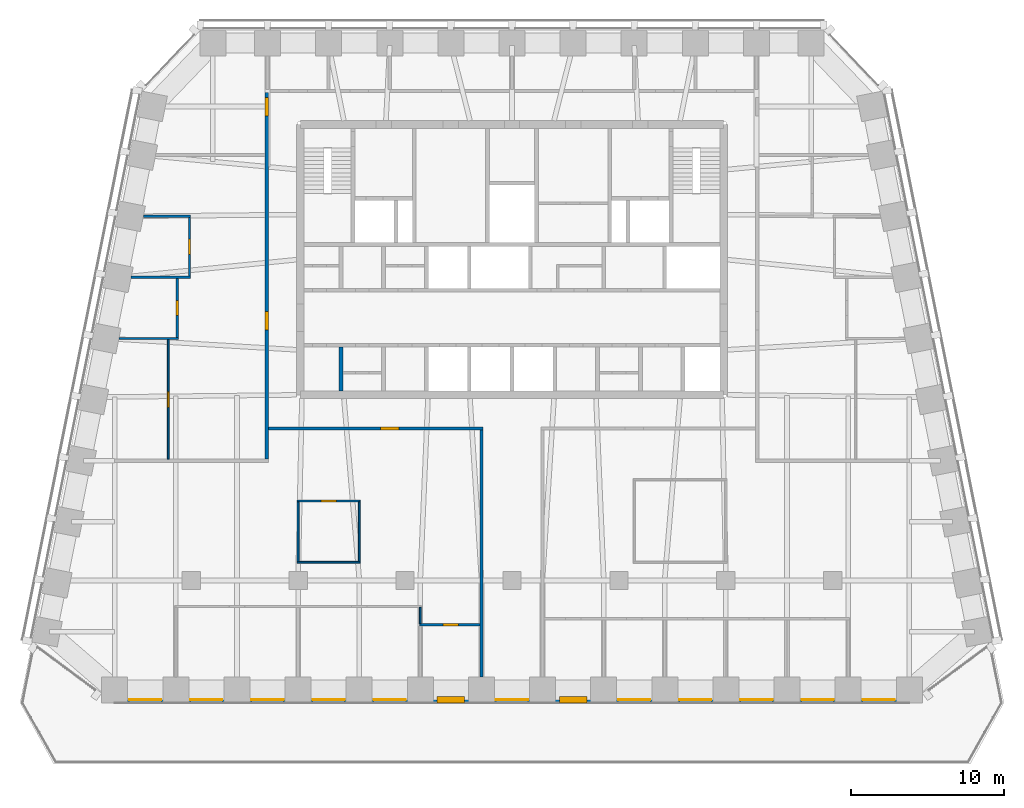
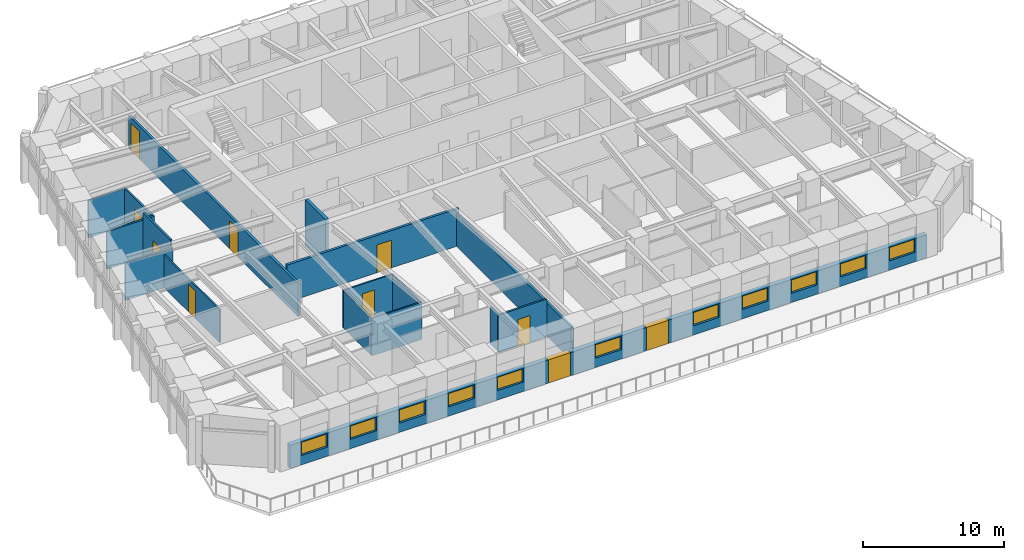
# One storey, part 5 of 10: 17 walls, 11 windows, 10 doors, 21 openings.
"""IFC4 building model written with IfcOpenShell, lengths in metres."""

from ifc_helpers import new_model, si_unit, direction, frame, frame_2d, origin, place, context, subcontext, project, spatial, rectangle, extrude, material, layer, layer_set, type_object, element, fill, save


model = new_model("IFC4")

# Units and contexts
model_context = context("Model", 3, precision=1e-05, world=origin(), true_north=direction((0.0, 1.0)))
body_context = subcontext(model_context, "Body", "Model", "MODEL_VIEW")
ifc_project = project(units=[si_unit("LENGTHUNIT", "METRE"), si_unit("AREAUNIT", "SQUARE_METRE"), si_unit("VOLUMEUNIT", "CUBIC_METRE"), si_unit("PLANEANGLEUNIT", "RADIAN"), si_unit("MASSUNIT", "GRAM", prefix="KILO")], contexts=[model_context])

# Site, building, storey
site_placement = place(None, origin())
site = spatial("IfcSite", under=ifc_project, at=site_placement, CompositionType="ELEMENT")
building_placement = place(site_placement, origin())
building = spatial("IfcBuilding", under=site, at=building_placement, Name="Isbrekke Arena Tower", CompositionType="ELEMENT")
storey_placement = place(building_placement, frame((0.0, 0.0, 260.0)))
storey = spatial("IfcBuildingStorey", under=building, at=storey_placement, Name="L60", CompositionType="ELEMENT", Elevation=260.0)

# Wall
ifc_material_1 = material(Name="Concrete B45 (C45/55)", Category="concrete")
ifc_layer_1 = layer(ifc_material_1, 0.25)
ifc_layer_set_1 = layer_set([ifc_layer_1], Name="CW6 SHAFT WALL 250")
wall_type_1 = type_object("IfcWallType", Name="CW6 SHAFT WALL 250", PredefinedType="SHEAR", material=ifc_layer_set_1)
wall_1_placement = place(storey_placement, frame((-11.199951171875, 6.39990234375, 0.0), z_axis=(0.0, 0.0, 1.0), x_axis=(0.0, 1.0, 0.0)))
element("IfcWall", 1, at=wall_1_placement, inside=storey, type_object=wall_type_1, Name="Core wall SS01 L60", PredefinedType="SHEAR", context=body_context, shape_type="SweptSolid", body=[
    extrude(rectangle(XDim=2.875, YDim=0.25, at=frame_2d((1.4375, 0.0))), origin(), (0.0, 0.0, 1.0), 4.0),
])

# Wall, openings, doors, windows
ifc_material_2 = material(Name="Copper cladding on insulated framing", Category="metal")
ifc_layer_2 = layer(ifc_material_2, 0.39990234375)
ifc_layer_set_2 = layer_set([ifc_layer_2], Name="EW2 COPPER-CLAD WALL 400")
wall_type_2 = type_object("IfcWallType", Name="EW2 COPPER-CLAD WALL 400", PredefinedType="SOLIDWALL", material=ifc_layer_set_2)
wall_2_placement = place(storey_placement, frame((-26.0, -13.800048828125, 0.0), z_axis=(0.0, 0.0, 1.0), x_axis=(1.0, 0.0, 0.0)))
wall_2 = element("IfcWall", 2, at=wall_2_placement, inside=storey, type_object=wall_type_2, Name="EW2 terrace wall L60", PredefinedType="SOLIDWALL", context=body_context, shape_type="SweptSolid", body=[
    extrude(rectangle(XDim=52.0, YDim=0.39990234375, at=frame_2d((26.0, 0.0))), origin(), (0.0, 0.0, 1.0), 2.0),
])
opening_1_placement = place(wall_2_placement, frame((0.949951171875, 0.0, 0.800048828125)))
opening_1 = element("IfcOpeningElement", 3, at=opening_1_placement, cuts=wall_2, Name="Opening WN1", PredefinedType="OPENING", context=body_context, shape_type="SweptSolid", body=[
    extrude(rectangle(XDim=2.10009765625, YDim=1.14990234375, at=frame_2d((1.050048828125, 0.574951171875))), frame((0.0, 0.21484375, 0.0), z_axis=(0.0, -1.0, 0.0), x_axis=(1.0, 0.0, 0.0)), (0.0, 0.0, 1.0), 0.4296875),
])
opening_2_placement = place(wall_2_placement, frame((4.949951171875, 0.0, 0.800048828125)))
opening_2 = element("IfcOpeningElement", 4, at=opening_2_placement, cuts=wall_2, Name="Opening WN1", PredefinedType="OPENING", context=body_context, shape_type="SweptSolid", body=[
    extrude(rectangle(XDim=2.10009765625, YDim=1.14990234375, at=frame_2d((1.050048828125, 0.574951171875))), frame((0.0, 0.21484375, 0.0), z_axis=(0.0, -1.0, 0.0), x_axis=(1.0, 0.0, 0.0)), (0.0, 0.0, 1.0), 0.4296875),
])
opening_3_placement = place(wall_2_placement, frame((8.949951171875, 0.0, 0.800048828125)))
opening_3 = element("IfcOpeningElement", 5, at=opening_3_placement, cuts=wall_2, Name="Opening WN1", PredefinedType="OPENING", context=body_context, shape_type="SweptSolid", body=[
    extrude(rectangle(XDim=2.10009765625, YDim=1.14990234375, at=frame_2d((1.050048828125, 0.574951171875))), frame((0.0, 0.21484375, 0.0), z_axis=(0.0, -1.0, 0.0), x_axis=(1.0, 0.0, 0.0)), (0.0, 0.0, 1.0), 0.4296875),
])
opening_4_placement = place(wall_2_placement, frame((12.949951171875, 0.0, 0.800048828125)))
opening_4 = element("IfcOpeningElement", 6, at=opening_4_placement, cuts=wall_2, Name="Opening WN1", PredefinedType="OPENING", context=body_context, shape_type="SweptSolid", body=[
    extrude(rectangle(XDim=2.10009765625, YDim=1.14990234375, at=frame_2d((1.050048828125, 0.574951171875))), frame((0.0, 0.21484375, 0.0), z_axis=(0.0, -1.0, 0.0), x_axis=(1.0, 0.0, 0.0)), (0.0, 0.0, 1.0), 0.4296875),
])
opening_5_placement = place(wall_2_placement, frame((16.949951171875, 0.0, 0.800048828125)))
opening_5 = element("IfcOpeningElement", 7, at=opening_5_placement, cuts=wall_2, Name="Opening WN1", PredefinedType="OPENING", context=body_context, shape_type="SweptSolid", body=[
    extrude(rectangle(XDim=2.10009765625, YDim=1.14990234375, at=frame_2d((1.050048828125, 0.574951171875))), frame((0.0, 0.21484375, 0.0), z_axis=(0.0, -1.0, 0.0), x_axis=(1.0, 0.0, 0.0)), (0.0, 0.0, 1.0), 0.4296875),
])
opening_6_placement = place(wall_2_placement, frame((21.10009765625, 0.0, 0.0)))
opening_6 = element("IfcOpeningElement", 8, at=opening_6_placement, cuts=wall_2, Name="Opening DT1", PredefinedType="OPENING", context=body_context, shape_type="SweptSolid", body=[
    extrude(rectangle(XDim=1.800048828125, YDim=2.0, at=frame_2d((0.89990234375, 1.0))), frame((0.0, 0.21484375, 0.0), z_axis=(0.0, -1.0, 0.0), x_axis=(1.0, 0.0, 0.0)), (0.0, 0.0, 1.0), 0.4296875),
])
opening_7_placement = place(wall_2_placement, frame((24.949951171875, 0.0, 0.800048828125)))
opening_7 = element("IfcOpeningElement", 9, at=opening_7_placement, cuts=wall_2, Name="Opening WN1", PredefinedType="OPENING", context=body_context, shape_type="SweptSolid", body=[
    extrude(rectangle(XDim=2.10009765625, YDim=1.14990234375, at=frame_2d((1.050048828125, 0.574951171875))), frame((0.0, 0.21484375, 0.0), z_axis=(0.0, -1.0, 0.0), x_axis=(1.0, 0.0, 0.0)), (0.0, 0.0, 1.0), 0.4296875),
])
opening_8_placement = place(wall_2_placement, frame((29.10009765625, 0.0, 0.0)))
opening_8 = element("IfcOpeningElement", 10, at=opening_8_placement, cuts=wall_2, Name="Opening DT1", PredefinedType="OPENING", context=body_context, shape_type="SweptSolid", body=[
    extrude(rectangle(XDim=1.800048828125, YDim=2.0, at=frame_2d((0.89990234375, 1.0))), frame((0.0, 0.21484375, 0.0), z_axis=(0.0, -1.0, 0.0), x_axis=(1.0, 0.0, 0.0)), (0.0, 0.0, 1.0), 0.4296875),
])
opening_9_placement = place(wall_2_placement, frame((32.949951171875, 0.0, 0.800048828125)))
opening_9 = element("IfcOpeningElement", 11, at=opening_9_placement, cuts=wall_2, Name="Opening WN1", PredefinedType="OPENING", context=body_context, shape_type="SweptSolid", body=[
    extrude(rectangle(XDim=2.10009765625, YDim=1.14990234375, at=frame_2d((1.050048828125, 0.574951171875))), frame((0.0, 0.21484375, 0.0), z_axis=(0.0, -1.0, 0.0), x_axis=(1.0, 0.0, 0.0)), (0.0, 0.0, 1.0), 0.4296875),
])
opening_10_placement = place(wall_2_placement, frame((36.949951171875, 0.0, 0.800048828125)))
opening_10 = element("IfcOpeningElement", 12, at=opening_10_placement, cuts=wall_2, Name="Opening WN1", PredefinedType="OPENING", context=body_context, shape_type="SweptSolid", body=[
    extrude(rectangle(XDim=2.10009765625, YDim=1.14990234375, at=frame_2d((1.050048828125, 0.574951171875))), frame((0.0, 0.21484375, 0.0), z_axis=(0.0, -1.0, 0.0), x_axis=(1.0, 0.0, 0.0)), (0.0, 0.0, 1.0), 0.4296875),
])
opening_11_placement = place(wall_2_placement, frame((40.949951171875, 0.0, 0.800048828125)))
opening_11 = element("IfcOpeningElement", 13, at=opening_11_placement, cuts=wall_2, Name="Opening WN1", PredefinedType="OPENING", context=body_context, shape_type="SweptSolid", body=[
    extrude(rectangle(XDim=2.10009765625, YDim=1.14990234375, at=frame_2d((1.050048828125, 0.574951171875))), frame((0.0, 0.21484375, 0.0), z_axis=(0.0, -1.0, 0.0), x_axis=(1.0, 0.0, 0.0)), (0.0, 0.0, 1.0), 0.4296875),
])
opening_12_placement = place(wall_2_placement, frame((44.949951171875, 0.0, 0.800048828125)))
opening_12 = element("IfcOpeningElement", 14, at=opening_12_placement, cuts=wall_2, Name="Opening WN1", PredefinedType="OPENING", context=body_context, shape_type="SweptSolid", body=[
    extrude(rectangle(XDim=2.10009765625, YDim=1.14990234375, at=frame_2d((1.050048828125, 0.574951171875))), frame((0.0, 0.21484375, 0.0), z_axis=(0.0, -1.0, 0.0), x_axis=(1.0, 0.0, 0.0)), (0.0, 0.0, 1.0), 0.4296875),
])
opening_13_placement = place(wall_2_placement, frame((48.949951171875, 0.0, 0.800048828125)))
opening_13 = element("IfcOpeningElement", 15, at=opening_13_placement, cuts=wall_2, Name="Opening WN1", PredefinedType="OPENING", context=body_context, shape_type="SweptSolid", body=[
    extrude(rectangle(XDim=2.10009765625, YDim=1.14990234375, at=frame_2d((1.050048828125, 0.574951171875))), frame((0.0, 0.21484375, 0.0), z_axis=(0.0, -1.0, 0.0), x_axis=(1.0, 0.0, 0.0)), (0.0, 0.0, 1.0), 0.4296875),
])
ifc_material_3 = material(Name="Timber-aluminium glazed door", Category="wood")
door_type_1 = type_object("IfcDoorType", Name="DT1 TERRACE DOOR 1800 x 2000", OperationType="DOUBLE_DOOR_SINGLE_SWING", PredefinedType="DOOR", material=ifc_material_3)
door_1_placement = place(opening_6_placement, origin())
door_1 = element("IfcDoor", 16, at=door_1_placement, inside=storey, type_object=door_type_1, Name="DT1 terrace door L60-6", OperationType="DOUBLE_DOOR_SINGLE_SWING", OverallHeight=2.0, OverallWidth=1.800048828125, PredefinedType="DOOR", context=body_context, shape_type="SweptSolid", body=[
    extrude(rectangle(XDim=1.800048828125, YDim=2.0, at=frame_2d((0.89990234375, 1.0))), frame((0.0, 0.19970703125, 0.0), z_axis=(0.0, -1.0, 0.0), x_axis=(1.0, 0.0, 0.0)), (0.0, 0.0, 1.0), 0.3994140625),
])
fill(opening_6, door_1)
door_2_placement = place(opening_8_placement, origin())
door_2 = element("IfcDoor", 17, at=door_2_placement, inside=storey, type_object=door_type_1, Name="DT1 terrace door L60-8", OperationType="DOUBLE_DOOR_SINGLE_SWING", OverallHeight=2.0, OverallWidth=1.800048828125, PredefinedType="DOOR", context=body_context, shape_type="SweptSolid", body=[
    extrude(rectangle(XDim=1.800048828125, YDim=2.0, at=frame_2d((0.89990234375, 1.0))), frame((0.0, 0.19970703125, 0.0), z_axis=(0.0, -1.0, 0.0), x_axis=(1.0, 0.0, 0.0)), (0.0, 0.0, 1.0), 0.3994140625),
])
fill(opening_8, door_2)
ifc_material_4 = material(Name="Timber-aluminium window, triple glazed", Category="wood")
window_type = type_object("IfcWindowType", Name="WN1 TERRACE WINDOW 2100 x 1150", PartitioningType="SINGLE_PANEL", PredefinedType="WINDOW", material=ifc_material_4)
window_1_placement = place(opening_1_placement, origin())
window_1 = element("IfcWindow", 18, at=window_1_placement, inside=storey, type_object=window_type, Name="WN1 terrace window L60-1", OverallHeight=1.14990234375, OverallWidth=2.10009765625, PartitioningType="SINGLE_PANEL", PredefinedType="WINDOW", context=body_context, shape_type="SweptSolid", body=[
    extrude(rectangle(XDim=2.10009765625, YDim=1.14990234375, at=frame_2d((1.050048828125, 0.574951171875))), frame((0.0, 0.030029296875, 0.0), z_axis=(0.0, -1.0, 0.0), x_axis=(1.0, 0.0, 0.0)), (0.0, 0.0, 1.0), 0.06005859375),
])
fill(opening_1, window_1)
window_2_placement = place(opening_2_placement, origin())
window_2 = element("IfcWindow", 19, at=window_2_placement, inside=storey, type_object=window_type, Name="WN1 terrace window L60-2", OverallHeight=1.14990234375, OverallWidth=2.10009765625, PartitioningType="SINGLE_PANEL", PredefinedType="WINDOW", context=body_context, shape_type="SweptSolid", body=[
    extrude(rectangle(XDim=2.10009765625, YDim=1.14990234375, at=frame_2d((1.050048828125, 0.574951171875))), frame((0.0, 0.030029296875, 0.0), z_axis=(0.0, -1.0, 0.0), x_axis=(1.0, 0.0, 0.0)), (0.0, 0.0, 1.0), 0.06005859375),
])
fill(opening_2, window_2)
window_3_placement = place(opening_3_placement, origin())
window_3 = element("IfcWindow", 20, at=window_3_placement, inside=storey, type_object=window_type, Name="WN1 terrace window L60-3", OverallHeight=1.14990234375, OverallWidth=2.10009765625, PartitioningType="SINGLE_PANEL", PredefinedType="WINDOW", context=body_context, shape_type="SweptSolid", body=[
    extrude(rectangle(XDim=2.10009765625, YDim=1.14990234375, at=frame_2d((1.050048828125, 0.574951171875))), frame((0.0, 0.030029296875, 0.0), z_axis=(0.0, -1.0, 0.0), x_axis=(1.0, 0.0, 0.0)), (0.0, 0.0, 1.0), 0.06005859375),
])
fill(opening_3, window_3)
window_4_placement = place(opening_4_placement, origin())
window_4 = element("IfcWindow", 21, at=window_4_placement, inside=storey, type_object=window_type, Name="WN1 terrace window L60-4", OverallHeight=1.14990234375, OverallWidth=2.10009765625, PartitioningType="SINGLE_PANEL", PredefinedType="WINDOW", context=body_context, shape_type="SweptSolid", body=[
    extrude(rectangle(XDim=2.10009765625, YDim=1.14990234375, at=frame_2d((1.050048828125, 0.574951171875))), frame((0.0, 0.030029296875, 0.0), z_axis=(0.0, -1.0, 0.0), x_axis=(1.0, 0.0, 0.0)), (0.0, 0.0, 1.0), 0.06005859375),
])
fill(opening_4, window_4)
window_5_placement = place(opening_5_placement, origin())
window_5 = element("IfcWindow", 22, at=window_5_placement, inside=storey, type_object=window_type, Name="WN1 terrace window L60-5", OverallHeight=1.14990234375, OverallWidth=2.10009765625, PartitioningType="SINGLE_PANEL", PredefinedType="WINDOW", context=body_context, shape_type="SweptSolid", body=[
    extrude(rectangle(XDim=2.10009765625, YDim=1.14990234375, at=frame_2d((1.050048828125, 0.574951171875))), frame((0.0, 0.030029296875, 0.0), z_axis=(0.0, -1.0, 0.0), x_axis=(1.0, 0.0, 0.0)), (0.0, 0.0, 1.0), 0.06005859375),
])
fill(opening_5, window_5)
window_6_placement = place(opening_7_placement, origin())
window_6 = element("IfcWindow", 23, at=window_6_placement, inside=storey, type_object=window_type, Name="WN1 terrace window L60-7", OverallHeight=1.14990234375, OverallWidth=2.10009765625, PartitioningType="SINGLE_PANEL", PredefinedType="WINDOW", context=body_context, shape_type="SweptSolid", body=[
    extrude(rectangle(XDim=2.10009765625, YDim=1.14990234375, at=frame_2d((1.050048828125, 0.574951171875))), frame((0.0, 0.030029296875, 0.0), z_axis=(0.0, -1.0, 0.0), x_axis=(1.0, 0.0, 0.0)), (0.0, 0.0, 1.0), 0.06005859375),
])
fill(opening_7, window_6)
window_7_placement = place(opening_9_placement, origin())
window_7 = element("IfcWindow", 24, at=window_7_placement, inside=storey, type_object=window_type, Name="WN1 terrace window L60-9", OverallHeight=1.14990234375, OverallWidth=2.10009765625, PartitioningType="SINGLE_PANEL", PredefinedType="WINDOW", context=body_context, shape_type="SweptSolid", body=[
    extrude(rectangle(XDim=2.10009765625, YDim=1.14990234375, at=frame_2d((1.050048828125, 0.574951171875))), frame((0.0, 0.030029296875, 0.0), z_axis=(0.0, -1.0, 0.0), x_axis=(1.0, 0.0, 0.0)), (0.0, 0.0, 1.0), 0.06005859375),
])
fill(opening_9, window_7)
window_8_placement = place(opening_10_placement, origin())
window_8 = element("IfcWindow", 25, at=window_8_placement, inside=storey, type_object=window_type, Name="WN1 terrace window L60-10", OverallHeight=1.14990234375, OverallWidth=2.10009765625, PartitioningType="SINGLE_PANEL", PredefinedType="WINDOW", context=body_context, shape_type="SweptSolid", body=[
    extrude(rectangle(XDim=2.10009765625, YDim=1.14990234375, at=frame_2d((1.050048828125, 0.574951171875))), frame((0.0, 0.030029296875, 0.0), z_axis=(0.0, -1.0, 0.0), x_axis=(1.0, 0.0, 0.0)), (0.0, 0.0, 1.0), 0.06005859375),
])
fill(opening_10, window_8)
window_9_placement = place(opening_11_placement, origin())
window_9 = element("IfcWindow", 26, at=window_9_placement, inside=storey, type_object=window_type, Name="WN1 terrace window L60-11", OverallHeight=1.14990234375, OverallWidth=2.10009765625, PartitioningType="SINGLE_PANEL", PredefinedType="WINDOW", context=body_context, shape_type="SweptSolid", body=[
    extrude(rectangle(XDim=2.10009765625, YDim=1.14990234375, at=frame_2d((1.050048828125, 0.574951171875))), frame((0.0, 0.030029296875, 0.0), z_axis=(0.0, -1.0, 0.0), x_axis=(1.0, 0.0, 0.0)), (0.0, 0.0, 1.0), 0.06005859375),
])
fill(opening_11, window_9)
window_10_placement = place(opening_12_placement, origin())
window_10 = element("IfcWindow", 27, at=window_10_placement, inside=storey, type_object=window_type, Name="WN1 terrace window L60-12", OverallHeight=1.14990234375, OverallWidth=2.10009765625, PartitioningType="SINGLE_PANEL", PredefinedType="WINDOW", context=body_context, shape_type="SweptSolid", body=[
    extrude(rectangle(XDim=2.10009765625, YDim=1.14990234375, at=frame_2d((1.050048828125, 0.574951171875))), frame((0.0, 0.030029296875, 0.0), z_axis=(0.0, -1.0, 0.0), x_axis=(1.0, 0.0, 0.0)), (0.0, 0.0, 1.0), 0.06005859375),
])
fill(opening_12, window_10)
window_11_placement = place(opening_13_placement, origin())
window_11 = element("IfcWindow", 28, at=window_11_placement, inside=storey, type_object=window_type, Name="WN1 terrace window L60-13", OverallHeight=1.14990234375, OverallWidth=2.10009765625, PartitioningType="SINGLE_PANEL", PredefinedType="WINDOW", context=body_context, shape_type="SweptSolid", body=[
    extrude(rectangle(XDim=2.10009765625, YDim=1.14990234375, at=frame_2d((1.050048828125, 0.574951171875))), frame((0.0, 0.030029296875, 0.0), z_axis=(0.0, -1.0, 0.0), x_axis=(1.0, 0.0, 0.0)), (0.0, 0.0, 1.0), 0.06005859375),
])
fill(opening_13, window_11)

# Wall, opening, door
ifc_material_5 = material(Name="Gypsum board partition on steel studs", Category="steel")
ifc_layer_3 = layer(ifc_material_5, 0.14990234375)
ifc_layer_set_3 = layer_set([ifc_layer_3], Name="IW1 PARTITION 150")
wall_type_3 = type_object("IfcWallType", Name="IW1 PARTITION 150", PredefinedType="PARTITIONING", material=ifc_layer_set_3)
wall_3_placement = place(storey_placement, frame((-6.06005859375, -8.89990234375, 0.0), z_axis=(0.0, 0.0, 1.0), x_axis=(1.0, 0.0, 0.0)))
wall_3 = element("IfcWall", 29, at=wall_3_placement, inside=storey, type_object=wall_type_3, Name="IW1 partition 150 L60", PredefinedType="PARTITIONING", context=body_context, shape_type="SweptSolid", body=[
    extrude(rectangle(XDim=3.9599609375, YDim=0.14990234375, at=frame_2d((1.97998046875, 0.0))), origin(), (0.0, 0.0, 1.0), 3.22998046875),
])
opening_14_placement = place(wall_3_placement, frame((1.56005859375, 0.0, 0.0)))
opening_14 = element("IfcOpeningElement", 30, at=opening_14_placement, cuts=wall_3, Name="Opening D10", PredefinedType="OPENING", context=body_context, shape_type="SweptSolid", body=[
    extrude(rectangle(XDim=1.0, YDim=2.300048828125, at=frame_2d((0.5, 1.14990234375))), frame((0.0, 0.08984375, 0.0), z_axis=(0.0, -1.0, 0.0), x_axis=(1.0, 0.0, 0.0)), (0.0, 0.0, 1.0), 0.1796875),
])
ifc_material_6 = material(Name="Timber door", Category="wood")
door_type_2 = type_object("IfcDoorType", Name="D10 OFFICE DOOR 1000 x 2300", OperationType="SINGLE_SWING_LEFT", PredefinedType="DOOR", material=ifc_material_6)
door_3_placement = place(opening_14_placement, origin())
door_3 = element("IfcDoor", 31, at=door_3_placement, inside=storey, type_object=door_type_2, Name="D10 pantry door L60", OperationType="SINGLE_SWING_LEFT", OverallHeight=2.300048828125, OverallWidth=1.0, PredefinedType="DOOR", context=body_context, shape_type="SweptSolid", body=[
    extrude(rectangle(XDim=1.0, YDim=2.300048828125, at=frame_2d((0.5, 1.14990234375))), frame((0.0, 0.07470703125, 0.0), z_axis=(0.0, -1.0, 0.0), x_axis=(1.0, 0.0, 0.0)), (0.0, 0.0, 1.0), 0.1494140625),
])
fill(opening_14, door_3)

# Walls
for number, where, z_axis, x_axis, name in (
    (32, (-25.723876953125, 9.840087890625, 0.0), (0.0, 0.0, 1.0), (1.0, 0.0, 0.0), "IW1 partition 150 L60"),
    (33, (-24.923828125, 13.840087890625, 0.0), (0.0, 0.0, 1.0), (1.0, 0.0, 0.0), "IW1 partition 150 L60"),
):
    element("IfcWall", number, at=place(storey_placement, frame(where, z_axis=z_axis, x_axis=x_axis)), inside=storey, type_object=wall_type_3, Name=name, PredefinedType="PARTITIONING", context=body_context, shape_type="SweptSolid", body=[
        extrude(rectangle(XDim=3.89892578125, YDim=0.14990234375, at=frame_2d((1.949462890625, 0.0))), origin(), (0.0, 0.0, 1.0), 3.22998046875),
    ])
wall_4_placement = place(storey_placement, frame((-24.123779296875, 17.840087890625, 0.0), z_axis=(0.0, 0.0, 1.0), x_axis=(1.0, 0.0, 0.0)))
element("IfcWall", 34, at=wall_4_placement, inside=storey, type_object=wall_type_3, Name="IW1 partition 150 L60", PredefinedType="PARTITIONING", context=body_context, shape_type="SweptSolid", body=[
    extrude(rectangle(XDim=3.098876953125, YDim=0.14990234375, at=frame_2d((1.54931640625, 0.0))), origin(), (0.0, 0.0, 1.0), 3.22998046875),
])

# Wall, opening, door
wall_5_placement = place(storey_placement, frame((-21.89990234375, 9.9150390625, 0.0), z_axis=(0.0, 0.0, 1.0), x_axis=(0.0, 1.0, 0.0)))
wall_5 = element("IfcWall", 35, at=wall_5_placement, inside=storey, type_object=wall_type_3, Name="IW1 partition 150 L60", PredefinedType="PARTITIONING", context=body_context, shape_type="SweptSolid", body=[
    extrude(rectangle(XDim=3.849853515625, YDim=0.14990234375, at=frame_2d((1.9248046875, 0.0))), origin(), (0.0, 0.0, 1.0), 3.85009765625),
])
opening_15_placement = place(wall_5_placement, frame((1.425048828125, 0.0, 0.0)))
opening_15 = element("IfcOpeningElement", 36, at=opening_15_placement, cuts=wall_5, Name="Opening D10", PredefinedType="OPENING", context=body_context, shape_type="SweptSolid", body=[
    extrude(rectangle(XDim=1.0, YDim=2.300048828125, at=frame_2d((0.5, 1.14990234375))), frame((0.0, 0.08984375, 0.0), z_axis=(0.0, -1.0, 0.0), x_axis=(1.0, 0.0, 0.0)), (0.0, 0.0, 1.0), 0.1796875),
])
door_4_placement = place(opening_15_placement, origin())
door_4 = element("IfcDoor", 37, at=door_4_placement, inside=storey, type_object=door_type_2, Name="D10 office door L60", OperationType="SINGLE_SWING_LEFT", OverallHeight=2.300048828125, OverallWidth=1.0, PredefinedType="DOOR", context=body_context, shape_type="SweptSolid", body=[
    extrude(rectangle(XDim=1.0, YDim=2.300048828125, at=frame_2d((0.5, 1.14990234375))), frame((0.0, 0.07470703125, 0.0), z_axis=(0.0, -1.0, 0.0), x_axis=(1.0, 0.0, 0.0)), (0.0, 0.0, 1.0), 0.1494140625),
])
fill(opening_15, door_4)

wall_6_placement = place(storey_placement, frame((-21.10009765625, 13.9150390625, 0.0), z_axis=(0.0, 0.0, 1.0), x_axis=(0.0, 1.0, 0.0)))
wall_6 = element("IfcWall", 38, at=wall_6_placement, inside=storey, type_object=wall_type_3, Name="IW1 partition 150 L60", PredefinedType="PARTITIONING", context=body_context, shape_type="SweptSolid", body=[
    extrude(rectangle(XDim=3.849853515625, YDim=0.14990234375, at=frame_2d((1.9248046875, 0.0))), origin(), (0.0, 0.0, 1.0), 3.22998046875),
])
opening_16_placement = place(wall_6_placement, frame((1.425048828125, 0.0, 0.0)))
opening_16 = element("IfcOpeningElement", 39, at=opening_16_placement, cuts=wall_6, Name="Opening D10", PredefinedType="OPENING", context=body_context, shape_type="SweptSolid", body=[
    extrude(rectangle(XDim=1.0, YDim=2.300048828125, at=frame_2d((0.5, 1.14990234375))), frame((0.0, 0.08984375, 0.0), z_axis=(0.0, -1.0, 0.0), x_axis=(1.0, 0.0, 0.0)), (0.0, 0.0, 1.0), 0.1796875),
])
door_5_placement = place(opening_16_placement, origin())
door_5 = element("IfcDoor", 40, at=door_5_placement, inside=storey, type_object=door_type_2, Name="D10 office door L60", OperationType="SINGLE_SWING_LEFT", OverallHeight=2.300048828125, OverallWidth=1.0, PredefinedType="DOOR", context=body_context, shape_type="SweptSolid", body=[
    extrude(rectangle(XDim=1.0, YDim=2.300048828125, at=frame_2d((0.5, 1.14990234375))), frame((0.0, 0.07470703125, 0.0), z_axis=(0.0, -1.0, 0.0), x_axis=(1.0, 0.0, 0.0)), (0.0, 0.0, 1.0), 0.1494140625),
])
fill(opening_16, door_5)

# Wall
ifc_material_7 = material(Name="Frameless glazed partition, laminated acoustic glass", Category="glass")
ifc_layer_4 = layer(ifc_material_7, 0.1201171875)
ifc_layer_set_4 = layer_set([ifc_layer_4], Name="IW2 GLAZED PARTITION 120")
wall_type_4 = type_object("IfcWallType", Name="IW2 GLAZED PARTITION 120", PredefinedType="PARTITIONING", material=ifc_layer_set_4)
wall_7_placement = place(storey_placement, frame((-14.06005859375, -4.800048828125, 0.0), z_axis=(0.0, 0.0, 1.0), x_axis=(1.0, 0.0, 0.0)))
element("IfcWall", 41, at=wall_7_placement, inside=storey, type_object=wall_type_4, Name="IW2 glazed partition 120 L60", PredefinedType="PARTITIONING", context=body_context, shape_type="SweptSolid", body=[
    extrude(rectangle(XDim=4.1201171875, YDim=0.1201171875, at=frame_2d((2.06005859375, 0.0))), origin(), (0.0, 0.0, 1.0), 3.22998046875),
])

# Wall, opening, door
wall_8_placement = place(storey_placement, frame((-14.06005859375, -0.800048828125, 0.0), z_axis=(0.0, 0.0, 1.0), x_axis=(1.0, 0.0, 0.0)))
wall_8 = element("IfcWall", 42, at=wall_8_placement, inside=storey, type_object=wall_type_4, Name="IW2 glazed partition 120 L60", PredefinedType="PARTITIONING", context=body_context, shape_type="SweptSolid", body=[
    extrude(rectangle(XDim=4.1201171875, YDim=0.1201171875, at=frame_2d((2.06005859375, 0.0))), origin(), (0.0, 0.0, 1.0), 3.22998046875),
])
opening_17_placement = place(wall_8_placement, frame((1.56005859375, 0.0, 0.0)))
opening_17 = element("IfcOpeningElement", 43, at=opening_17_placement, cuts=wall_8, Name="Opening D11", PredefinedType="OPENING", context=body_context, shape_type="SweptSolid", body=[
    extrude(rectangle(XDim=1.0, YDim=2.39990234375, at=frame_2d((0.5, 1.199951171875))), frame((0.0, 0.074951171875, 0.0), z_axis=(0.0, -1.0, 0.0), x_axis=(1.0, 0.0, 0.0)), (0.0, 0.0, 1.0), 0.14990234375),
])
ifc_material_8 = material(Name="Frameless glazed door", Category="glass")
door_type_3 = type_object("IfcDoorType", Name="D11 GLAZED MEETING ROOM DOOR 1000 x 2400", OperationType="SINGLE_SWING_RIGHT", PredefinedType="DOOR", material=ifc_material_8)
door_6_placement = place(opening_17_placement, origin())
door_6 = element("IfcDoor", 44, at=door_6_placement, inside=storey, type_object=door_type_3, Name="D11 quiet room door L60", OperationType="SINGLE_SWING_RIGHT", OverallHeight=2.39990234375, OverallWidth=1.0, PredefinedType="DOOR", context=body_context, shape_type="SweptSolid", body=[
    extrude(rectangle(XDim=1.0, YDim=2.39990234375, at=frame_2d((0.5, 1.199951171875))), frame((0.0, 0.059814453125, 0.0), z_axis=(0.0, -1.0, 0.0), x_axis=(1.0, 0.0, 0.0)), (0.0, 0.0, 1.0), 0.11962890625),
])
fill(opening_17, door_6)

wall_9_placement = place(storey_placement, frame((-22.5, 1.93994140625, 0.0), z_axis=(0.0, 0.0, 1.0), x_axis=(0.0, 1.0, 0.0)))
wall_9 = element("IfcWall", 45, at=wall_9_placement, inside=storey, type_object=wall_type_4, Name="IW2 glazed partition 120 L60", PredefinedType="PARTITIONING", context=body_context, shape_type="SweptSolid", body=[
    extrude(rectangle(XDim=7.824951171875, YDim=0.1201171875, at=frame_2d((3.91259765625, 0.0))), origin(), (0.0, 0.0, 1.0), 2.842041015625),
])
opening_18_placement = place(wall_9_placement, frame((3.39990234375, 0.0, 0.0)))
opening_18 = element("IfcOpeningElement", 46, at=opening_18_placement, cuts=wall_9, Name="Opening D11", PredefinedType="OPENING", context=body_context, shape_type="SweptSolid", body=[
    extrude(rectangle(XDim=1.0, YDim=2.39990234375, at=frame_2d((0.5, 1.199951171875))), frame((0.0, 0.074951171875, 0.0), z_axis=(0.0, -1.0, 0.0), x_axis=(1.0, 0.0, 0.0)), (0.0, 0.0, 1.0), 0.14990234375),
])
door_7_placement = place(opening_18_placement, origin())
door_7 = element("IfcDoor", 47, at=door_7_placement, inside=storey, type_object=door_type_3, Name="D11 project room door L60", OperationType="SINGLE_SWING_RIGHT", OverallHeight=2.39990234375, OverallWidth=1.0, PredefinedType="DOOR", context=body_context, shape_type="SweptSolid", body=[
    extrude(rectangle(XDim=1.0, YDim=2.39990234375, at=frame_2d((0.5, 1.199951171875))), frame((0.0, 0.059814453125, 0.0), z_axis=(0.0, -1.0, 0.0), x_axis=(1.0, 0.0, 0.0)), (0.0, 0.0, 1.0), 0.11962890625),
])
fill(opening_18, door_7)

# Walls
for number, where, z_axis, x_axis, name in (
    (48, (-14.0, -4.739990234375, 0.0), (0.0, 0.0, 1.0), (0.0, 1.0, 0.0), "IW2 glazed partition 120 L60"),
    (49, (-10.0, -4.739990234375, 0.0), (0.0, 0.0, 1.0), (0.0, 1.0, 0.0), "IW2 glazed partition 120 L60"),
):
    element("IfcWall", number, at=place(storey_placement, frame(where, z_axis=z_axis, x_axis=x_axis)), inside=storey, type_object=wall_type_4, Name=name, PredefinedType="PARTITIONING", context=body_context, shape_type="SweptSolid", body=[
        extrude(rectangle(XDim=3.8798828125, YDim=0.1201171875, at=frame_2d((1.93994140625, 0.0))), origin(), (0.0, 0.0, 1.0), 3.22998046875),
    ])
wall_10_placement = place(storey_placement, frame((-6.0, -8.824951171875, 0.0), z_axis=(0.0, 0.0, 1.0), x_axis=(0.0, 1.0, 0.0)))
element("IfcWall", 50, at=wall_10_placement, inside=storey, type_object=wall_type_4, Name="IW2 glazed partition 120 L60", PredefinedType="PARTITIONING", context=body_context, shape_type="SweptSolid", body=[
    extrude(rectangle(XDim=1.06494140625, YDim=0.1201171875, at=frame_2d((0.532470703125, 0.0))), origin(), (0.0, 0.0, 1.0), 3.22998046875),
])

# Wall, opening, door
ifc_material_9 = material(Name="Gypsum board fire-cell wall on steel studs, two layers each side", Category="steel")
ifc_layer_5 = layer(ifc_material_9, 0.199951171875)
ifc_layer_set_5 = layer_set([ifc_layer_5], Name="IW3 FIRE-CELL WALL 200")
wall_type_5 = type_object("IfcWallType", Name="IW3 FIRE-CELL WALL 200", PredefinedType="PARTITIONING", material=ifc_layer_set_5)
wall_11_placement = place(storey_placement, frame((-15.949951171875, 3.949951171875, 0.0), z_axis=(0.0, 0.0, 1.0), x_axis=(1.0, 0.0, 0.0)))
wall_11 = element("IfcWall", 51, at=wall_11_placement, inside=storey, type_object=wall_type_5, Name="IW3 fire-cell wall 200 L60", PredefinedType="PARTITIONING", context=body_context, shape_type="SweptSolid", body=[
    extrude(rectangle(XDim=14.050048828125, YDim=0.199951171875, at=frame_2d((7.02490234375, 0.0))), origin(), (0.0, 0.0, 1.0), 3.22998046875),
])
opening_19_placement = place(wall_11_placement, frame((7.35009765625, 0.0, 0.0)))
opening_19 = element("IfcOpeningElement", 52, at=opening_19_placement, cuts=wall_11, Name="Opening D12", PredefinedType="OPENING", context=body_context, shape_type="SweptSolid", body=[
    extrude(rectangle(XDim=1.199951171875, YDim=2.39990234375, at=frame_2d((0.60009765625, 1.199951171875))), frame((0.0, 0.11474609375, 0.0), z_axis=(0.0, -1.0, 0.0), x_axis=(1.0, 0.0, 0.0)), (0.0, 0.0, 1.0), 0.229736328125),
])
ifc_material_10 = material(Name="Timber fire door with vision panel", Category="wood")
door_type_4 = type_object("IfcDoorType", Name="D12 SUITE ENTRANCE DOOR 1200 x 2400", OperationType="SINGLE_SWING_LEFT", PredefinedType="DOOR", material=ifc_material_10)
door_8_placement = place(opening_19_placement, origin())
door_8 = element("IfcDoor", 53, at=door_8_placement, inside=storey, type_object=door_type_4, Name="D12 suite entrance SW door L60", OperationType="SINGLE_SWING_LEFT", OverallHeight=2.39990234375, OverallWidth=1.199951171875, PredefinedType="DOOR", context=body_context, shape_type="SweptSolid", body=[
    extrude(rectangle(XDim=1.199951171875, YDim=2.39990234375, at=frame_2d((0.60009765625, 1.199951171875))), frame((0.0, 0.099609375, 0.0), z_axis=(0.0, -1.0, 0.0), x_axis=(1.0, 0.0, 0.0)), (0.0, 0.0, 1.0), 0.199462890625),
])
fill(opening_19, door_8)

# Wall, openings, doors
wall_12_placement = place(storey_placement, frame((-16.050048828125, 1.93994140625, 0.0), z_axis=(0.0, 0.0, 1.0), x_axis=(0.0, 1.0, 0.0)))
wall_12 = element("IfcWall", 54, at=wall_12_placement, inside=storey, type_object=wall_type_5, Name="IW3 fire-cell wall 200 L60", PredefinedType="PARTITIONING", context=body_context, shape_type="SweptSolid", body=[
    extrude(rectangle(XDim=24.010009765625, YDim=0.199951171875, at=frame_2d((12.0048828125, 0.0))), origin(), (0.0, 0.0, 1.0), 2.842041015625),
])
opening_20_placement = place(wall_12_placement, frame((8.4599609375, 0.0, 0.0)))
opening_20 = element("IfcOpeningElement", 55, at=opening_20_placement, cuts=wall_12, Name="Opening D12", PredefinedType="OPENING", context=body_context, shape_type="SweptSolid", body=[
    extrude(rectangle(XDim=1.199951171875, YDim=2.39990234375, at=frame_2d((0.60009765625, 1.199951171875))), frame((0.0, 0.11474609375, 0.0), z_axis=(0.0, -1.0, 0.0), x_axis=(1.0, 0.0, 0.0)), (0.0, 0.0, 1.0), 0.229736328125),
])
opening_21_placement = place(wall_12_placement, frame((22.4599609375, 0.0, 0.0)))
opening_21 = element("IfcOpeningElement", 56, at=opening_21_placement, cuts=wall_12, Name="Opening D12", PredefinedType="OPENING", context=body_context, shape_type="SweptSolid", body=[
    extrude(rectangle(XDim=1.199951171875, YDim=2.39990234375, at=frame_2d((0.60009765625, 1.199951171875))), frame((0.0, 0.11474609375, 0.0), z_axis=(0.0, -1.0, 0.0), x_axis=(1.0, 0.0, 0.0)), (0.0, 0.0, 1.0), 0.229736328125),
])
door_9_placement = place(opening_20_placement, origin())
door_9 = element("IfcDoor", 57, at=door_9_placement, inside=storey, type_object=door_type_4, Name="D12 suite entrance W door L60", OperationType="SINGLE_SWING_LEFT", OverallHeight=2.39990234375, OverallWidth=1.199951171875, PredefinedType="DOOR", context=body_context, shape_type="SweptSolid", body=[
    extrude(rectangle(XDim=1.199951171875, YDim=2.39990234375, at=frame_2d((0.60009765625, 1.199951171875))), frame((0.0, 0.099609375, 0.0), z_axis=(0.0, -1.0, 0.0), x_axis=(1.0, 0.0, 0.0)), (0.0, 0.0, 1.0), 0.199462890625),
])
fill(opening_20, door_9)
door_10_placement = place(opening_21_placement, origin())
door_10 = element("IfcDoor", 58, at=door_10_placement, inside=storey, type_object=door_type_4, Name="D12 suite entrance NCW door L60", OperationType="SINGLE_SWING_LEFT", OverallHeight=2.39990234375, OverallWidth=1.199951171875, PredefinedType="DOOR", context=body_context, shape_type="SweptSolid", body=[
    extrude(rectangle(XDim=1.199951171875, YDim=2.39990234375, at=frame_2d((0.60009765625, 1.199951171875))), frame((0.0, 0.099609375, 0.0), z_axis=(0.0, -1.0, 0.0), x_axis=(1.0, 0.0, 0.0)), (0.0, 0.0, 1.0), 0.199462890625),
])
fill(opening_21, door_10)

# Wall
wall_13_placement = place(storey_placement, frame((-2.0, -12.324951171875, 0.0), z_axis=(0.0, 0.0, 1.0), x_axis=(0.0, 1.0, 0.0)))
element("IfcWall", 59, at=wall_13_placement, inside=storey, type_object=wall_type_5, Name="IW3 fire-cell wall 200 L60", PredefinedType="PARTITIONING", context=body_context, shape_type="SweptSolid", body=[
    extrude(rectangle(XDim=16.175048828125, YDim=0.199951171875, at=frame_2d((8.08740234375, 0.0))), origin(), (0.0, 0.0, 1.0), 2.842041015625),
])

save(model, "model.ifc")
